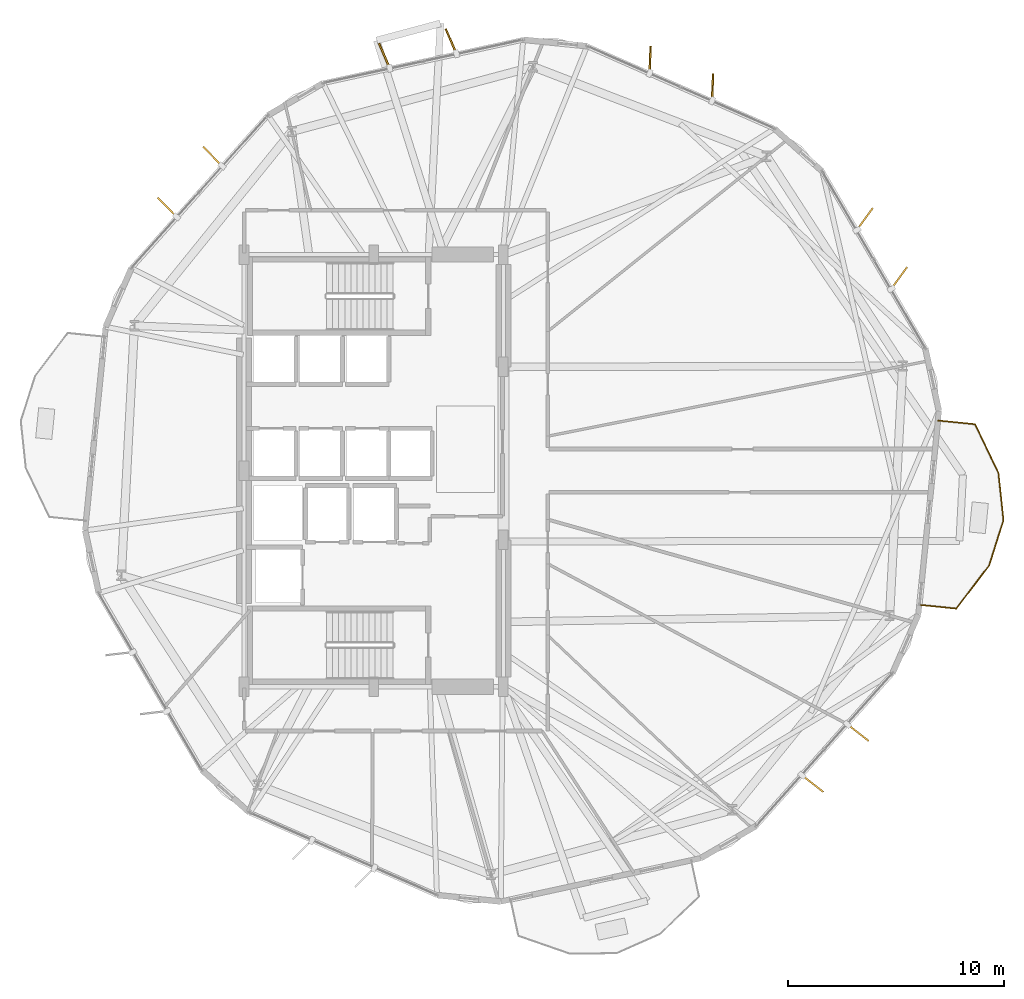
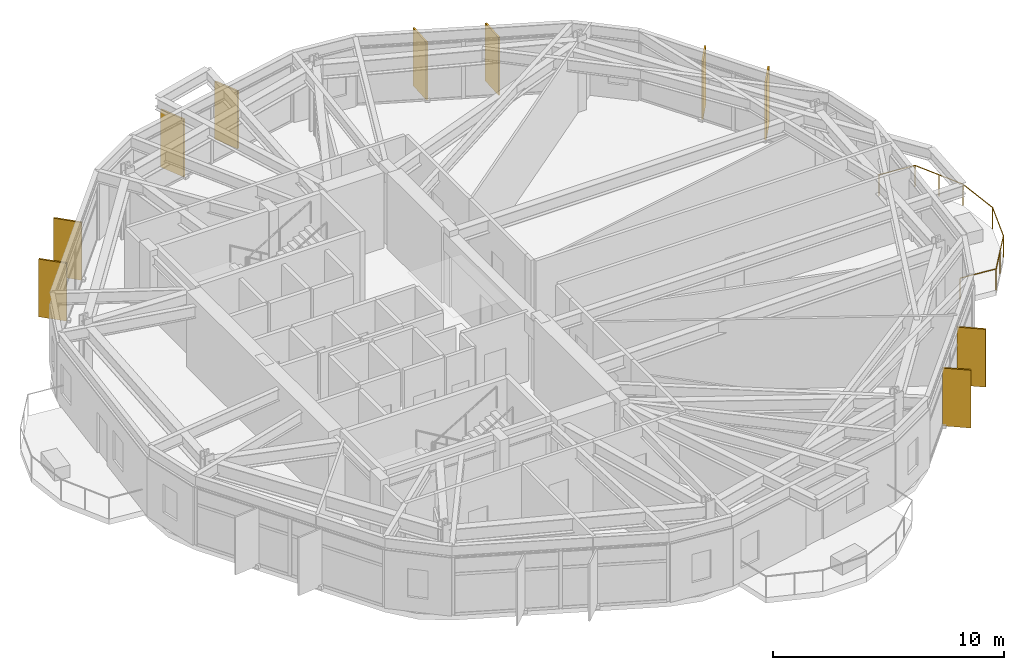
# One storey, part 22 of 22: 10 shading devices, 1 railing.
"""IFC4 building model written with IfcOpenShell, lengths in metres."""

from ifc_helpers import new_model, si_unit, direction, frame, origin, origin_2d, place, context, subcontext, project, spatial, rectangle, circle, extrude, material, layer, layer_set, type_object, element, save


model = new_model("IFC4")

# Units and contexts
model_context = context("Model", 3, precision=1e-05, world=origin(), true_north=direction((0.0, 1.0)))
body_context = subcontext(model_context, "Body", "Model", "MODEL_VIEW")
ifc_project = project(units=[si_unit("LENGTHUNIT", "METRE"), si_unit("AREAUNIT", "SQUARE_METRE"), si_unit("VOLUMEUNIT", "CUBIC_METRE"), si_unit("PLANEANGLEUNIT", "RADIAN"), si_unit("MASSUNIT", "GRAM", prefix="KILO")], contexts=[model_context])

# Site, building, storey
site_placement = place(None, origin())
site = spatial("IfcSite", under=ifc_project, at=site_placement, CompositionType="ELEMENT")
building_placement = place(site_placement, origin())
building = spatial("IfcBuilding", under=site, at=building_placement, Name="Soratama Intermodal Tower", CompositionType="ELEMENT")
storey_placement = place(building_placement, frame((0.0, 0.0, 74.60009765625)))
storey = spatial("IfcBuildingStorey", under=building, at=storey_placement, Name="L17", CompositionType="ELEMENT", Elevation=74.60009765625)

# Railing
ifc_material_1 = material(Name="Laminated glass and stainless steel balustrade", Category="steel")
railing_type = type_object("IfcRailingType", Name="RL-BAL-1150", PredefinedType="BALUSTRADE", material=ifc_material_1)
railing_placement = place(storey_placement, frame((64.716064453125, 27.321533203125, 0.0)))
element("IfcRailing", 1, at=railing_placement, inside=storey, type_object=railing_type, Name="L17 Balcony Balustrade 1", PredefinedType="BALUSTRADE", context=body_context, shape_type="SweptSolid", body=[
    extrude(circle(Radius=0.02392578125, at=origin_2d()), frame((0.0, 0.0, 1.1259765625), z_axis=(0.994938335761, -0.100487352599, 0.0), x_axis=(0.100487352599, 0.994938335761, 0.0)), (0.0, 0.0, 1.0), 1.72021484375),
    extrude(circle(Radius=0.02392578125, at=origin_2d()), frame((1.71142578125, -0.1728515625, 1.1259765625), z_axis=(0.433365753254, -0.901218133365, 0.0), x_axis=(0.901218133365, 0.433365753254, 0.0)), (0.0, 0.0, 1.0), 2.51318359375),
    extrude(circle(Radius=0.02392578125, at=origin_2d()), frame((2.800537109375, -2.437744140625, 1.1259765625), z_axis=(0.105647722892, -0.994403619587, 0.0), x_axis=(0.994403619587, 0.105647722892, 0.0)), (0.0, 0.0, 1.0), 2.190673828125),
    extrude(circle(Radius=0.02392578125, at=origin_2d()), frame((3.031982421875, -4.6162109375, 1.1259765625), z_axis=(-0.302117899084, -0.9532705676, 0.0), x_axis=(0.9532705676, -0.302117899084, 0.0)), (0.0, 0.0, 1.0), 2.190673828125),
    extrude(circle(Radius=0.02392578125, at=origin_2d()), frame((2.3701171875, -6.70458984375, 1.1259765625), z_axis=(-0.604637344962, -0.796500898353, 0.0), x_axis=(0.796500898353, -0.604637344962, 0.0)), (0.0, 0.0, 1.0), 2.51318359375),
    extrude(circle(Radius=0.02392578125, at=origin_2d()), frame((0.8505859375, -8.706298828125, 1.1259765625), z_axis=(-0.994952516152, 0.100346851486, 0.0), x_axis=(-0.100346851486, -0.994952516152, 0.0)), (0.0, 0.0, 1.0), 1.72021484375),
    extrude(circle(Radius=0.02099609375, at=origin_2d()), origin(), (0.0, 0.0, 1.0), 1.101806640625),
    extrude(circle(Radius=0.02099609375, at=origin_2d()), frame((1.71142578125, -0.1728515625, 0.0)), (0.0, 0.0, 1.0), 1.101806640625),
    extrude(circle(Radius=0.02099609375, at=origin_2d()), frame((2.255859375, -1.30517578125, 0.0)), (0.0, 0.0, 1.0), 1.101806640625),
    extrude(circle(Radius=0.02099609375, at=origin_2d()), frame((2.800537109375, -2.437744140625, 0.0)), (0.0, 0.0, 1.0), 1.101806640625),
    extrude(circle(Radius=0.02099609375, at=origin_2d()), frame((3.031982421875, -4.6162109375, 0.0)), (0.0, 0.0, 1.0), 1.101806640625),
    extrude(circle(Radius=0.02099609375, at=origin_2d()), frame((2.3701171875, -6.70458984375, 0.0)), (0.0, 0.0, 1.0), 1.101806640625),
    extrude(circle(Radius=0.02099609375, at=origin_2d()), frame((1.6103515625, -7.70556640625, 0.0)), (0.0, 0.0, 1.0), 1.101806640625),
    extrude(circle(Radius=0.02099609375, at=origin_2d()), frame((0.8505859375, -8.706298828125, 0.0)), (0.0, 0.0, 1.0), 1.101806640625),
    extrude(circle(Radius=0.02099609375, at=origin_2d()), frame((-0.86083984375, -8.53369140625, 0.0)), (0.0, 0.0, 1.0), 1.101806640625),
])

# Shading devices
ifc_material_2 = material(Name="Champagne anodised aluminium solar fin", Category="aluminium")
ifc_layer = layer(ifc_material_2, 0.080078125)
ifc_layer_set = layer_set([ifc_layer], Name="Champagne anodised aluminium solar fin")
shading_device_type = type_object("IfcShadingDeviceType", Name="SH-FIN-1250", PredefinedType="USERDEFINED", material=ifc_layer_set)
for number, where, z_axis, x_axis, name in (
    (2, (62.9208984375, 33.9189453125, 0.019775390625), (0.0, 0.0, 1.0), (0.588632130464, 0.808401023617, 0.0), "L17 Solar Fin F01-1"),
    (3, (61.330078125, 36.64794921875, 0.019775390625), (0.0, 0.0, 1.0), (0.588632130464, 0.808401023617, 0.0), "L17 Solar Fin F01-2"),
    (4, (54.2822265625, 42.748779296875, 0.019775390625), (0.0, 0.0, 1.0), (0.041526891525, 0.999137386589, 0.0), "L17 Solar Fin F02-1"),
    (5, (51.390869140625, 44.021484375, 0.019775390625), (0.0, 0.0, 1.0), (0.041526891525, 0.999137386589, 0.0), "L17 Solar Fin F02-2"),
    (6, (42.1806640625, 44.870849609375, 0.019775390625), (0.0, 0.0, 1.0), (-0.392979177488, 0.919547370211, 0.0), "L17 Solar Fin F03-1"),
    (7, (39.093505859375, 44.201171875, 0.019775390625), (0.0, 0.0, 1.0), (-0.392979177488, 0.919547370211, 0.0), "L17 Solar Fin F03-2"),
    (8, (31.14111328125, 39.548095703125, 0.019775390625), (0.0, 0.0, 1.0), (-0.700784767938, 0.713372770034, 0.0), "L17 Solar Fin F04-1"),
    (9, (29.037109375, 37.191650390625, 0.019775390625), (0.0, 0.0, 1.0), (-0.700784767938, 0.713372770034, 0.0), "L17 Solar Fin F04-2"),
    (10, (58.915283203125, 10.514892578125, 0.019775390625), (0.0, 0.0, 1.0), (0.787903288407, -0.61579899977, 0.0), "L17 Solar Fin F09-1"),
    (11, (61.019287109375, 12.871337890625, 0.019775390625), (0.0, 0.0, 1.0), (0.787903288407, -0.61579899977, 0.0), "L17 Solar Fin F09-2"),
):
    element("IfcShadingDevice", number, at=place(storey_placement, frame(where, z_axis=z_axis, x_axis=x_axis)), inside=storey, type_object=shading_device_type, Name=name, ObjectType="FIN", PredefinedType="USERDEFINED", context=body_context, shape_type="SweptSolid", body=[
        extrude(rectangle(XDim=1.25, YDim=0.080078125, at=origin_2d()), origin(), (0.0, 0.0, 1.0), 3.05908203125),
    ])

save(model, "model.ifc")
